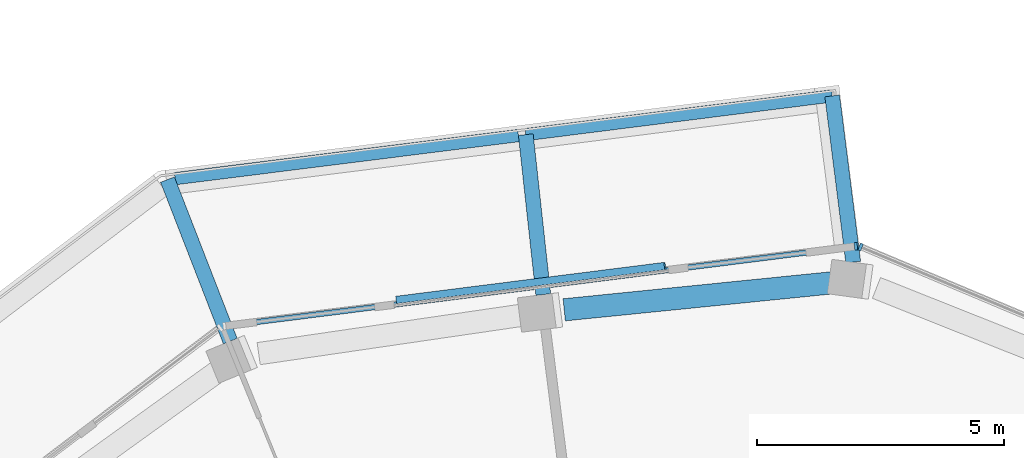
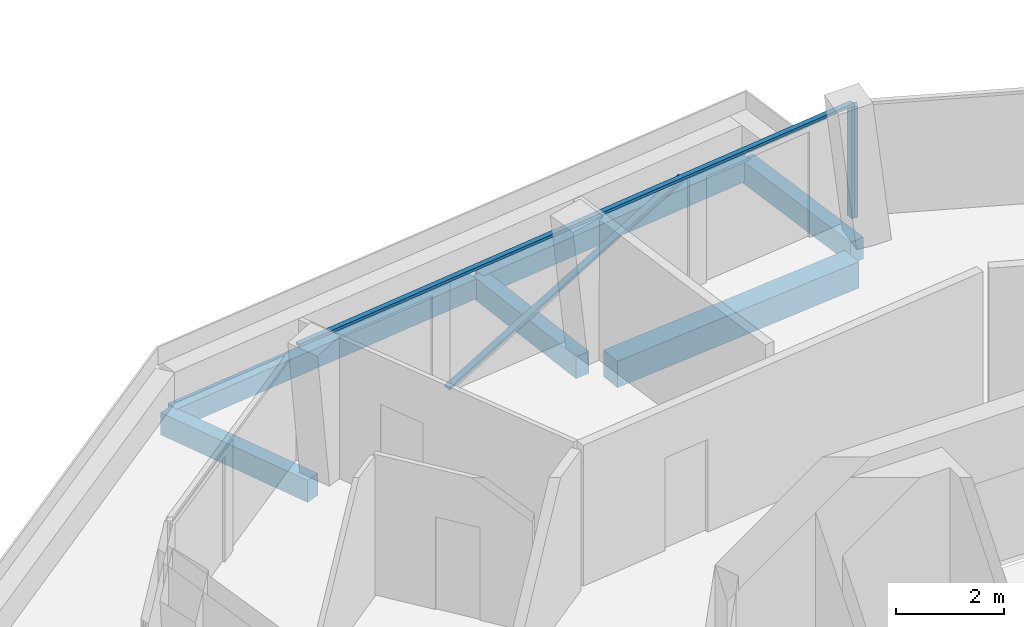
# One storey, part 10 of 26: 6 beams, 4 members, 2 elements without a shape of their own.
"""IFC4 building model written with IfcOpenShell, lengths in metres."""

from ifc_helpers import new_model, si_unit, direction, frame, origin, origin_2d, place, context, subcontext, project, spatial, rectangle, extrude, material, layer, layer_set, material_profile, profile_set, type_object, element, aggregate, save


model = new_model("IFC4")

# Units and contexts
model_context = context("Model", 3, precision=1e-05, world=origin(), true_north=direction((0.0, 1.0)))
body_context = subcontext(model_context, "Body", "Model", "MODEL_VIEW")
ifc_project = project(units=[si_unit("LENGTHUNIT", "METRE"), si_unit("AREAUNIT", "SQUARE_METRE"), si_unit("VOLUMEUNIT", "CUBIC_METRE"), si_unit("PLANEANGLEUNIT", "RADIAN"), si_unit("MASSUNIT", "GRAM", prefix="KILO")], contexts=[model_context])

# Site, building, storey
site_placement = place(None, origin())
site = spatial("IfcSite", under=ifc_project, at=site_placement, CompositionType="ELEMENT")
building_placement = place(site_placement, origin())
building = spatial("IfcBuilding", under=site, at=building_placement, Name="Verdalira Terraces Hotel", CompositionType="ELEMENT")
storey_placement = place(building_placement, frame((0.0, 0.0, 306.5)))
storey = spatial("IfcBuildingStorey", under=building, at=storey_placement, Name="L76", CompositionType="ELEMENT", Elevation=306.5)

# Beams
ifc_material_1 = material(Name="Concrete C40", Category="concrete")
ifc_material_profile_1 = material_profile(ifc_material_1, rectangle(XDim=0.300049, YDim=0.5, at=origin_2d()), Name="RC 300X500")
ifc_profile_set_1 = profile_set([ifc_material_profile_1], Name="Concrete C40")
beam_type_1 = type_object("IfcBeamType", Name="Balcony cantilever beam RC 300X500 C40", PredefinedType="BEAM", material=ifc_profile_set_1)
beam_1_placement = place(storey_placement, frame((3.294434, 24.47876, -0.560059), z_axis=(-0.125330424, 0.992115056, 0.0), x_axis=(-0.992115056, -0.125330424, 0.0)))
element("IfcBeam", 1, at=beam_1_placement, inside=storey, type_object=beam_type_1, Name="Balcony cantilever beam R40-3", PredefinedType="BEAM", context=body_context, shape_type="SweptSolid", body=[
    extrude(rectangle(XDim=0.300049, YDim=0.5, at=origin_2d()), origin(), (0.0, 0.0, 1.0), 3.385498),
])
beam_2_placement = place(storey_placement, frame((-2.968262, 23.82373, -0.560059), z_axis=(-0.108741665, 0.994070043, 0.0), x_axis=(-0.994070043, -0.108741665, 0.0)))
element("IfcBeam", 2, at=beam_2_placement, inside=storey, type_object=beam_type_1, Name="Balcony cantilever beam R40-4", PredefinedType="BEAM", context=body_context, shape_type="SweptSolid", body=[
    extrude(rectangle(XDim=0.300049, YDim=0.5, at=origin_2d()), origin(), (0.0, 0.0, 1.0), 3.250977),
])
beam_3_placement = place(storey_placement, frame((-9.292969, 22.882812, -0.560059), z_axis=(-0.362261208, 0.932076615, 0.0), x_axis=(-0.932076615, -0.362261208, 0.0)))
element("IfcBeam", 3, at=beam_3_placement, inside=storey, type_object=beam_type_1, Name="Balcony cantilever beam R40-5", PredefinedType="BEAM", context=body_context, shape_type="SweptSolid", body=[
    extrude(rectangle(XDim=0.300049, YDim=0.5, at=origin_2d()), origin(), (0.0, 0.0, 1.0), 3.501709),
])
ifc_material_2 = material(Name="Concrete C40", Category="concrete")
ifc_material_profile_2 = material_profile(ifc_material_2, rectangle(XDim=0.25, YDim=0.449951, at=origin_2d()), Name="RC 250X450")
ifc_profile_set_2 = profile_set([ifc_material_profile_2], Name="Concrete C40")
beam_type_2 = type_object("IfcBeamType", Name="Balcony edge beam RC 250X450 C40", PredefinedType="BEAM", material=ifc_profile_set_2)
beam_4_placement = place(storey_placement, frame((2.870117, 27.837646, -0.534912), z_axis=(-0.992114534, -0.125334554, 0.0), x_axis=(0.125334554, -0.992114534, 0.0)))
element("IfcBeam", 4, at=beam_4_placement, inside=storey, type_object=beam_type_2, Name="Balcony edge beam R40-2", PredefinedType="BEAM", context=body_context, shape_type="SweptSolid", body=[
    extrude(rectangle(XDim=0.25, YDim=0.449951, at=origin_2d()), origin(), (0.0, 0.0, 1.0), 6.241211),
])
beam_5_placement = place(storey_placement, frame((-3.470459, 27.036621, -0.534912), z_axis=(-0.992218136, -0.124511731, 0.0), x_axis=(0.124511731, -0.992218136, 0.0)))
element("IfcBeam", 5, at=beam_5_placement, inside=storey, type_object=beam_type_2, Name="Balcony edge beam R40-3", PredefinedType="BEAM", context=body_context, shape_type="SweptSolid", body=[
    extrude(rectangle(XDim=0.25, YDim=0.449951, at=origin_2d()), origin(), (0.0, 0.0, 1.0), 6.992188),
])

# Curtain wall, member
ifc_material_3 = material(Name="Clear glass", Category="glass")
ifc_layer = layer(ifc_material_3, 0.14990234375)
ifc_layer_set = layer_set([ifc_layer], Name="CW1 curtain wall")
curtain_wall_type = type_object("IfcCurtainWallType", Name="CW1 curtain wall", PredefinedType="NOTDEFINED", material=ifc_layer_set)
curtain_wall_1_placement = place(storey_placement, origin())
curtain_wall_1 = element("IfcCurtainWall", 6, at=curtain_wall_1_placement, inside=storey, type_object=curtain_wall_type, Name="CW1 curtain wall L76 edge 39", PredefinedType="NOTDEFINED")
ifc_material_4 = material(Name="Terracotta frame", Category="masonry")
ifc_material_profile_3 = material_profile(ifc_material_4, rectangle(XDim=0.060059, YDim=0.149902, at=origin_2d()), Name="MU 60x150")
ifc_profile_set_3 = profile_set([ifc_material_profile_3], Name="Terracotta frame")
member_type_1 = type_object("IfcMemberType", Name="CW1 mullion 60x150", PredefinedType="MULLION", material=ifc_profile_set_3)
member_1_placement = place(storey_placement, frame((3.444092, 24.7854, 0.0), z_axis=(0.0, 0.0, 1.0), x_axis=(-0.921863152, 0.387515586, 0.0)))
member_1 = element("IfcMember", 7, at=member_1_placement, type_object=member_type_1, Name="CW1 mullion", PredefinedType="MULLION", context=body_context, shape_type="SweptSolid", body=[
    extrude(rectangle(XDim=0.060059, YDim=0.149902, at=origin_2d()), origin(), (0.0, 0.0, 1.0), 2.524902),
])
aggregate(curtain_wall_1, [member_1])

# Curtain wall, members
curtain_wall_2_placement = place(storey_placement, origin())
curtain_wall_2 = element("IfcCurtainWall", 8, at=curtain_wall_2_placement, inside=storey, type_object=curtain_wall_type, Name="CW1 curtain wall L76 edge 40", PredefinedType="NOTDEFINED")
member_2_placement = place(storey_placement, frame((3.348145, 24.798584, 0.0), z_axis=(0.0, 0.0, 1.0), x_axis=(-0.992114701, -0.125333234, 0.0)))
member_2 = element("IfcMember", 9, at=member_2_placement, type_object=member_type_1, Name="CW1 mullion", PredefinedType="MULLION", context=body_context, shape_type="SweptSolid", body=[
    extrude(rectangle(XDim=0.060059, YDim=0.149902, at=origin_2d()), origin(), (0.0, 0.0, 1.0), 2.524902),
])
ifc_material_5 = material(Name="Terracotta frame", Category="masonry")
ifc_material_profile_4 = material_profile(ifc_material_5, rectangle(XDim=0.110107, YDim=0.064941, at=origin_2d()), Name="TR 65x110")
ifc_profile_set_4 = profile_set([ifc_material_profile_4], Name="Terracotta frame")
member_type_2 = type_object("IfcMemberType", Name="CW1 transom 65x110", PredefinedType="USERDEFINED", material=ifc_profile_set_4)
member_3_placement = place(storey_placement, frame((3.37793, 24.802246, 2.557617), z_axis=(-0.992115982, -0.125323096, 0.0), x_axis=(0.125323096, -0.992115982, 0.0)))
member_3 = element("IfcMember", 10, at=member_3_placement, type_object=member_type_2, Name="CW1 transom", ObjectType="TRANSOM", PredefinedType="USERDEFINED", context=body_context, shape_type="SweptSolid", body=[
    extrude(rectangle(XDim=0.110107, YDim=0.064941, at=origin_2d()), origin(), (0.0, 0.0, 1.0), 12.919678),
])
ifc_material_6 = material(Name="Terracotta frame", Category="masonry")
ifc_material_profile_5 = material_profile(ifc_material_6, rectangle(XDim=0.149902, YDim=0.060059, at=origin_2d()), Name="GB 60x150")
ifc_profile_set_5 = profile_set([ifc_material_profile_5], Name="Terracotta frame")
member_type_3 = type_object("IfcMemberType", Name="Diagonal glazing bar 60x150", PredefinedType="USERDEFINED", material=ifc_profile_set_5)
member_4_placement = place(storey_placement, frame((-0.511475, 24.400635, 2.496826), z_axis=(-0.904043014, -0.114217203, -0.411898845), x_axis=(0.125344048, -0.992113335, 0.0)))
member_4 = element("IfcMember", 11, at=member_4_placement, type_object=member_type_3, Name="Diagonal glazing bar", ObjectType="GLAZING BAR", PredefinedType="USERDEFINED", context=body_context, shape_type="SweptSolid", body=[
    extrude(rectangle(XDim=0.149902, YDim=0.060059, at=origin_2d()), origin(), (0.0, 0.0, 1.0), 5.993652),
])
aggregate(curtain_wall_2, [member_2, member_3, member_4])

# Beam
ifc_material_7 = material(Name="Concrete C40", Category="concrete")
ifc_material_profile_6 = material_profile(ifc_material_7, rectangle(XDim=0.449951, YDim=0.600098, at=origin_2d()), Name="RC 450X600")
ifc_profile_set_6 = profile_set([ifc_material_profile_6], Name="Concrete C40")
beam_type_3 = type_object("IfcBeamType", Name="Spandrel beam RC 450X600 C40", PredefinedType="SPANDREL", material=ifc_profile_set_6)
beam_6_placement = place(storey_placement, frame((2.950195, 24.06958, -0.610107), z_axis=(-0.994953693, -0.100335179, 0.0), x_axis=(0.100335179, -0.994953693, 0.0)))
element("IfcBeam", 12, at=beam_6_placement, inside=storey, type_object=beam_type_3, Name="Spandrel beam B26", PredefinedType="SPANDREL", context=body_context, shape_type="SweptSolid", body=[
    extrude(rectangle(XDim=0.449951, YDim=0.600098, at=origin_2d()), origin(), (0.0, 0.0, 1.0), 5.523438),
])

save(model, "model.ifc")
